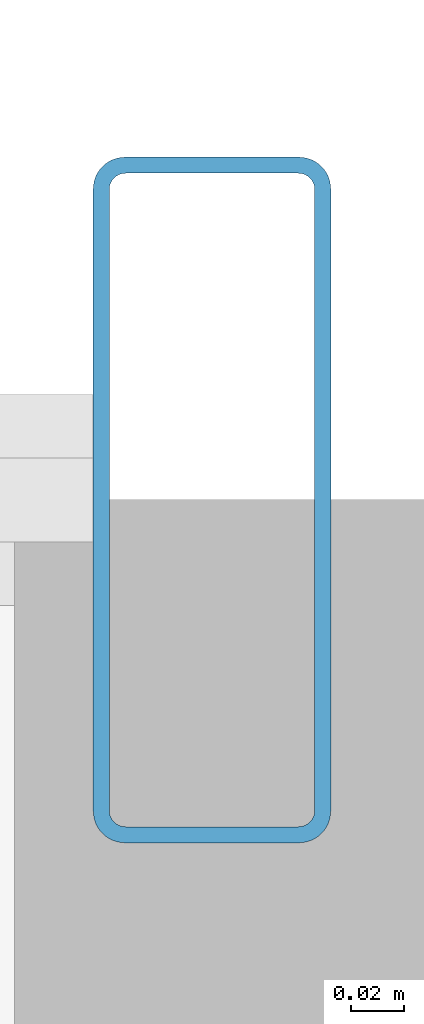
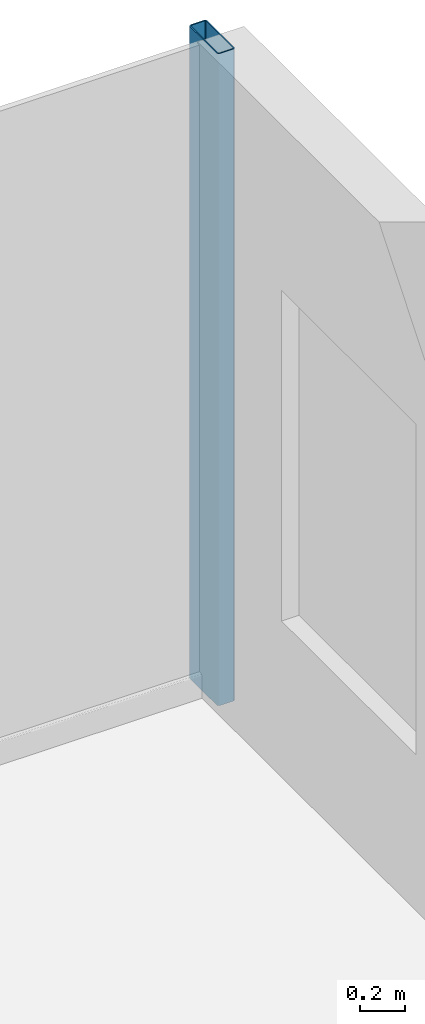
# One storey, part 14 of 27: 1 member, 1 element without a shape of its own.
"""IFC4 building model written with IfcOpenShell, lengths in metres."""

from ifc_helpers import new_model, si_unit, direction, frame, origin, origin_2d, place, context, subcontext, project, spatial, hollow_rectangle, extrude, source, transform, mapped, material, layer, layer_set, material_profile, profile_set, type_object, element, aggregate, save


model = new_model("IFC4")

# Units and contexts
model_context = context("Model", 3, precision=1e-05, world=origin(), true_north=direction((0.0, 1.0)))
body_context = subcontext(model_context, "Body", "Model", "MODEL_VIEW")
ifc_project = project(units=[si_unit("LENGTHUNIT", "METRE"), si_unit("AREAUNIT", "SQUARE_METRE"), si_unit("VOLUMEUNIT", "CUBIC_METRE"), si_unit("PLANEANGLEUNIT", "RADIAN"), si_unit("MASSUNIT", "GRAM", prefix="KILO")], contexts=[model_context])

# Site, building, storey
site_placement = place(None, origin())
site = spatial("IfcSite", under=ifc_project, at=site_placement, CompositionType="ELEMENT")
building_placement = place(site_placement, origin())
building = spatial("IfcBuilding", under=site, at=building_placement, Name="Nefas-Gora Pilgrimage Tower", CompositionType="ELEMENT")
storey_placement = place(building_placement, frame((0.0, 0.0, 48.199951171875)))
storey = spatial("IfcBuildingStorey", under=building, at=storey_placement, Name="L10", CompositionType="ELEMENT", Elevation=48.199951171875)

# Curtain wall, member
ifc_material_1 = material(Name="Dark ceramic-fritted solar-control aluminium-glass curtain wall", Category="aluminium")
ifc_layer = layer(ifc_material_1, 0.219970703125)
ifc_layer_set = layer_set([ifc_layer], Name="Dark ceramic-fritted solar-control aluminium-glass curtain wall")
curtain_wall_type = type_object("IfcCurtainWallType", Name="CW-SYS-2", PredefinedType="NOTDEFINED", material=ifc_layer_set)
curtain_wall_placement = place(storey_placement, origin())
curtain_wall = element("IfcCurtainWall", 1, at=curtain_wall_placement, inside=storey, type_object=curtain_wall_type, Name="L10 Unitised Curtain Wall CW2", PredefinedType="NOTDEFINED")
ifc_material_2 = material(Name="Anodised architectural aluminium", Category="aluminium")
ifc_material_profile = material_profile(ifc_material_2, hollow_rectangle(XDim=0.090087890625, YDim=0.260009765625, WallThickness=0.006103515625, InnerFilletRadius=0.006103515625, OuterFilletRadius=0.011962890625, at=origin_2d()), Name="ALU MULLION 90x260")
ifc_profile_set = profile_set([ifc_material_profile], Name="Anodised architectural aluminium")
member_type = type_object("IfcMemberType", Name="CWM-MUL-2", PredefinedType="MULLION", material=ifc_profile_set)
shared_shape = source(origin(), body_context, "Body", "SweptSolid", [
    extrude(hollow_rectangle(XDim=0.090087890625, YDim=0.260009765625, WallThickness=0.006103515625, InnerFilletRadius=0.006103515625, OuterFilletRadius=0.011962890625, at=origin_2d()), origin(), (0.0, 0.0, 1.0), 3.550048828125),
])
member_placement = place(storey_placement, frame((28.824951171875, 23.02001953125, 0.0), z_axis=(0.0, 0.0, 1.0), x_axis=(-1.0, 0.0, 0.0)))
member = element("IfcMember", 2, at=member_placement, type_object=member_type, Name="CW2 Mullion 1", PredefinedType="MULLION", context=body_context, shape_type="MappedRepresentation", body=[
    mapped(shared_shape, transform((0.0, 0.0, 0.0), x_axis=(1.0, 0.0, 0.0), y_axis=(0.0, 1.0, 0.0), z_axis=(0.0, 0.0, 1.0), scale=1.0)),
])
aggregate(curtain_wall, [member])

save(model, "model.ifc")
